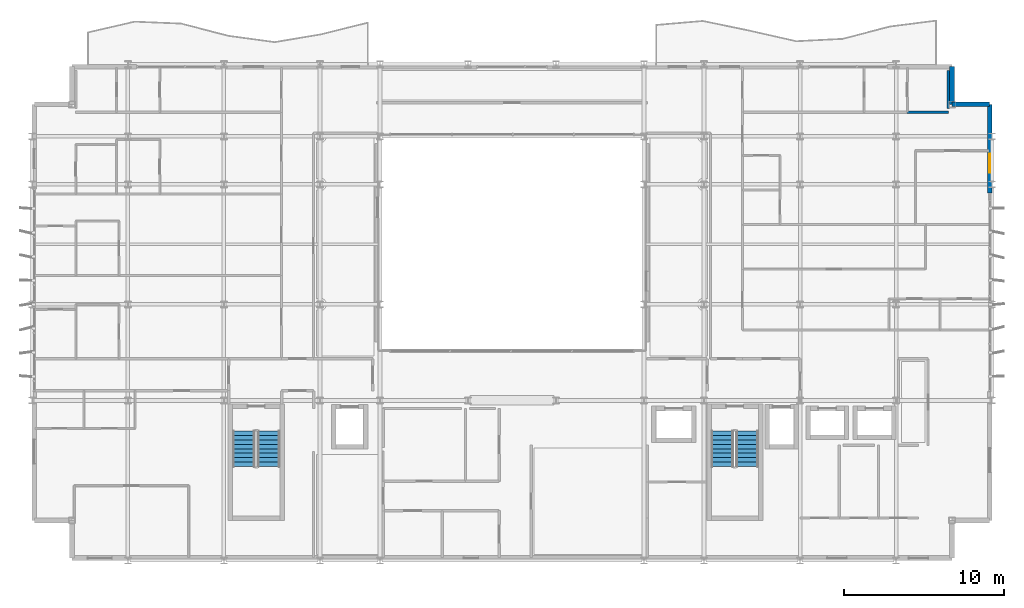
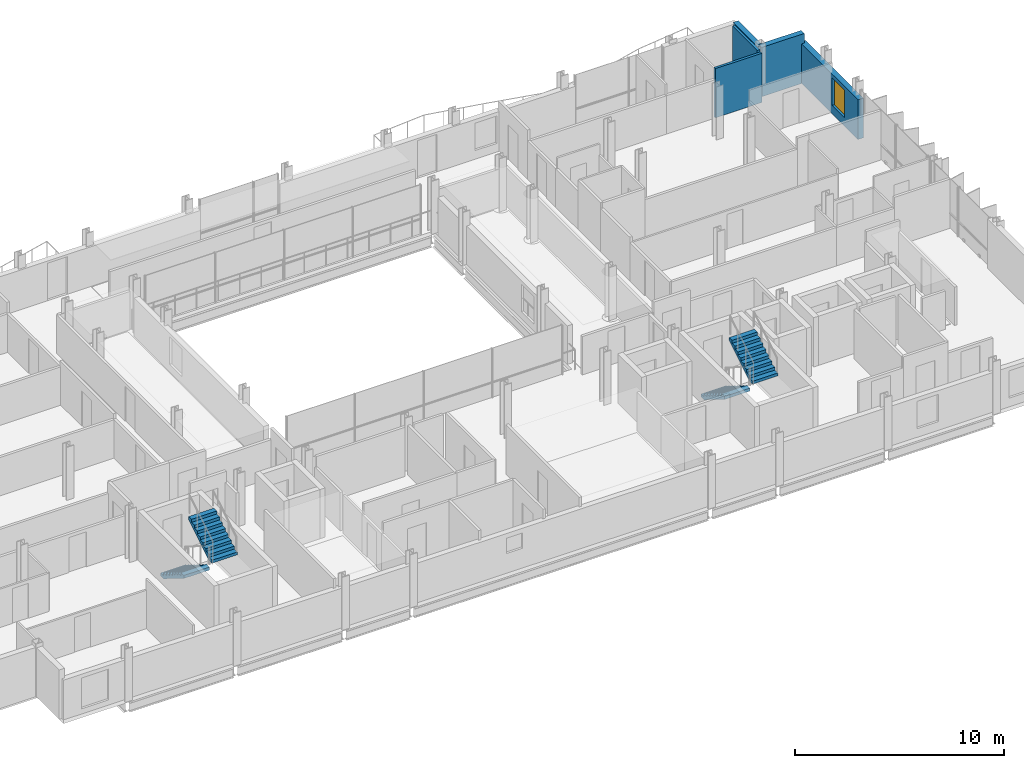
# One storey, part 34 of 40: 5 walls, 4 stair flights, 1 window, 1 opening, 2 elements without a shape of their own.
"""IFC4 building model written with IfcOpenShell, lengths in metres."""

from ifc_helpers import new_model, si_unit, direction, frame, frame_2d, origin, place, context, subcontext, project, spatial, polyline, rectangle, outline, extrude, material, layer, layer_set, type_object, element, fill, aggregate, save


model = new_model("IFC4")

# Units and contexts
model_context = context("Model", 3, precision=1e-05, world=origin(), true_north=direction((0.0, 1.0)))
body_context = subcontext(model_context, "Body", "Model", "MODEL_VIEW")
ifc_project = project(units=[si_unit("LENGTHUNIT", "METRE"), si_unit("AREAUNIT", "SQUARE_METRE"), si_unit("VOLUMEUNIT", "CUBIC_METRE"), si_unit("PLANEANGLEUNIT", "RADIAN"), si_unit("MASSUNIT", "GRAM", prefix="KILO")], contexts=[model_context])

# Site, building, storey
site_placement = place(None, origin())
site = spatial("IfcSite", under=ifc_project, at=site_placement, CompositionType="ELEMENT")
building_placement = place(site_placement, origin())
building = spatial("IfcBuilding", under=site, at=building_placement, Name="Brevholm Reach", CompositionType="ELEMENT")
storey_placement = place(building_placement, frame((0.0, 0.0, 148.0)))
storey = spatial("IfcBuildingStorey", under=building, at=storey_placement, Name="L44", CompositionType="ELEMENT", Elevation=148.0)

# Walls
ifc_material_1 = material(Name="Concrete C40/50", Category="concrete")
ifc_layer_1 = layer(ifc_material_1, 0.300048828125)
ifc_layer_set_1 = layer_set([ifc_layer_1], Name="Concrete C40/50")
wall_type_1 = type_object("IfcWallType", Name="WAL-EXT-300", PredefinedType="STANDARD", material=ifc_layer_set_1)
for number, where, z_axis, x_axis, name in (
    (1, (59.85009765625, 28.5, 0.0), (0.0, 0.0, 1.0), (-1.0, 0.0, 0.0), "L44 Facade Wall WAL-L44-CNE1"),
    (2, (57.5, 28.5, 0.0), (0.0, 0.0, 1.0), (0.0, 1.0, 0.0), "L44 Facade Wall WAL-L44-CNE2"),
):
    element("IfcWall", number, at=place(storey_placement, frame(where, z_axis=z_axis, x_axis=x_axis)), inside=storey, type_object=wall_type_1, Name=name, PredefinedType="STANDARD", context=body_context, shape_type="SweptSolid", body=[
        extrude(rectangle(XDim=2.35009765625, YDim=0.300048828125, at=frame_2d((1.175048828125, 0.0))), origin(), (0.0, 0.0, 1.0), 2.8798828125),
    ])

# Wall, opening, window
wall_1_placement = place(storey_placement, frame((59.85009765625, 22.949951171875, 0.0), z_axis=(0.0, 0.0, 1.0), x_axis=(0.0, 1.0, 0.0)))
wall_1 = element("IfcWall", 3, at=wall_1_placement, inside=storey, type_object=wall_type_1, Name="L44 Facade Wall WAL-L44-E-N", PredefinedType="STANDARD", context=body_context, shape_type="SweptSolid", body=[
    extrude(rectangle(XDim=5.550048828125, YDim=0.300048828125, at=frame_2d((2.77490234375, 0.0))), origin(), (0.0, 0.0, 1.0), 2.322021484375),
])
opening_placement = place(wall_1_placement, frame((1.27001953125, 0.0, 0.501953125)))
opening = element("IfcOpeningElement", 4, at=opening_placement, cuts=wall_1, Name="Opening WN-08", PredefinedType="OPENING", context=body_context, shape_type="SweptSolid", body=[
    extrude(rectangle(XDim=1.199951171875, YDim=1.60009765625, at=frame_2d((0.60009765625, 0.800048828125))), frame((0.0, 0.159912109375, 0.0), z_axis=(0.0, -1.0, 0.0), x_axis=(1.0, 0.0, 0.0)), (0.0, 0.0, 1.0), 0.320068359375),
])
ifc_material_2 = material(Name="Dark Anodised Aluminium and Solar-Control IGU Glass", Category="aluminium")
window_type = type_object("IfcWindowType", Name="WIN-RES-1200", PartitioningType="SINGLE_PANEL", PredefinedType="WINDOW", material=ifc_material_2)
window_placement = place(opening_placement, origin())
window = element("IfcWindow", 5, at=window_placement, inside=storey, type_object=window_type, Name="L44 Window WIN-L44-EN-1", OverallHeight=1.60009765625, OverallWidth=1.199951171875, PartitioningType="SINGLE_PANEL", PredefinedType="WINDOW", context=body_context, shape_type="SweptSolid", body=[
    extrude(rectangle(XDim=1.199951171875, YDim=1.60009765625, at=frame_2d((0.60009765625, 0.800048828125))), frame((0.0, 0.030029296875, 0.0), z_axis=(0.0, -1.0, 0.0), x_axis=(1.0, 0.0, 0.0)), (0.0, 0.0, 1.0), 0.06005859375),
])
fill(opening, window)

# Walls
ifc_material_3 = material(Name="Twin-Stud Acoustic Fire-Rated Gypsum Partition 140 mm", Category="gypsum")
ifc_layer_2 = layer(ifc_material_3, 0.139892578125)
ifc_layer_set_2 = layer_set([ifc_layer_2], Name="Twin-Stud Acoustic Fire-Rated Gypsum Partition 140 mm")
wall_type_2 = type_object("IfcWallType", Name="WAL-PRT-140", PredefinedType="PARTITIONING", material=ifc_layer_set_2)
wall_2_placement = place(storey_placement, frame((54.688720703125, 28.0, 0.0), z_axis=(0.0, 0.0, 1.0), x_axis=(1.0, 0.0, 0.0)))
element("IfcWall", 6, at=wall_2_placement, inside=storey, type_object=wall_type_2, Name="L44 Internal Partition 114", PredefinedType="PARTITIONING", context=body_context, shape_type="SweptSolid", body=[
    extrude(rectangle(XDim=2.572509765625, YDim=0.139892578125, at=frame_2d((1.2861328125, 0.0))), origin(), (0.0, 0.0, 1.0), 2.8798828125),
])
wall_3_placement = place(storey_placement, frame((57.25, 28.239990234375, 0.0), z_axis=(0.0, 0.0, 1.0), x_axis=(0.0, 1.0, 0.0)))
element("IfcWall", 7, at=wall_3_placement, inside=storey, type_object=wall_type_2, Name="L44 Internal Partition 126", PredefinedType="PARTITIONING", context=body_context, shape_type="SweptSolid", body=[
    extrude(rectangle(XDim=2.3701171875, YDim=0.139892578125, at=frame_2d((1.18505859375, 0.0))), origin(), (0.0, 0.0, 1.0), 2.8798828125),
])

# Stair, stair flights
ifc_material_4 = material(Name="Precast Concrete C40/50", Category="concrete")
stair_type = type_object("IfcStairType", Name="STR-ESC-1400", PredefinedType="DOUBLE_RETURN_STAIR", material=ifc_material_4)
stair_1_placement = place(storey_placement, origin())
stair_1 = element("IfcStair", 8, at=stair_1_placement, inside=storey, type_object=stair_type, Name="L44 ST-1", PredefinedType="DOUBLE_RETURN_STAIR")
ifc_material_5 = material(Name="Precast Concrete C40/50", Category="concrete")
ifc_layer_3 = layer(ifc_material_5, 0.18505859375)
ifc_layer_set_3 = layer_set([ifc_layer_3], Name="Precast Concrete C40/50")
stair_flight_type = type_object("IfcStairFlightType", Name="STF-PRC-185", PredefinedType="STRAIGHT", material=ifc_layer_set_3)
stair_flight_1_placement = place(storey_placement, frame((13.25, 8.10009765625, 0.0), z_axis=(0.0, 0.0, 1.0), x_axis=(0.0, -1.0, 0.0)))
stair_flight_1 = element("IfcStairFlight", 9, at=stair_flight_1_placement, type_object=stair_flight_type, Name="ST-1 flight 1", NumberOfRisers=9, NumberOfTreads=8, PredefinedType="STRAIGHT", RiserHeight=0.172222222, TreadLength=0.28, context=body_context, shape_type="SweptSolid", body=[
    extrude(outline(polyline([(0.0, 0.0), (0.0, 0.172119140625), (0.280029296875, 0.172119140625), (0.280029296875, 0.344482421875), (0.56005859375, 0.344482421875), (0.56005859375, 0.5166015625), (0.840087890625, 0.5166015625), (0.840087890625, 0.68896484375), (1.1201171875, 0.68896484375), (1.1201171875, 0.861083984375), (1.39990234375, 0.861083984375), (1.39990234375, 1.033447265625), (1.679931640625, 1.033447265625), (1.679931640625, 1.20556640625), (1.9599609375, 1.20556640625), (1.9599609375, 1.377685546875), (2.239990234375, 1.377685546875), (2.239990234375, 1.550048828125), (2.239990234375, 1.201904296875), (0.2861328125, 0.0), (0.0, 0.0)])), frame((0.0, 0.699951171875, 0.0), z_axis=(0.0, -1.0, 0.0), x_axis=(1.0, 0.0, 0.0)), (0.0, 0.0, 1.0), 1.39990234375),
])
stair_flight_2_placement = place(storey_placement, frame((14.800048828125, 5.860107421875, 1.550048828125), z_axis=(0.0, 0.0, 1.0), x_axis=(0.0, 1.0, 0.0)))
stair_flight_2 = element("IfcStairFlight", 10, at=stair_flight_2_placement, type_object=stair_flight_type, Name="ST-1 flight 2", NumberOfRisers=9, NumberOfTreads=8, PredefinedType="STRAIGHT", RiserHeight=0.172222222, TreadLength=0.28, context=body_context, shape_type="SweptSolid", body=[
    extrude(outline(polyline([(0.0, 0.0), (0.0, 0.172119140625), (0.280029296875, 0.172119140625), (0.280029296875, 0.344482421875), (0.56005859375, 0.344482421875), (0.56005859375, 0.5166015625), (0.840087890625, 0.5166015625), (0.840087890625, 0.68896484375), (1.1201171875, 0.68896484375), (1.1201171875, 0.861083984375), (1.39990234375, 0.861083984375), (1.39990234375, 1.033447265625), (1.679931640625, 1.033447265625), (1.679931640625, 1.20556640625), (1.9599609375, 1.20556640625), (1.9599609375, 1.377685546875), (2.239990234375, 1.377685546875), (2.239990234375, 1.550048828125), (2.239990234375, 1.201904296875), (0.2861328125, 0.0), (0.0, 0.0)])), frame((0.0, 0.699951171875, 0.0), z_axis=(0.0, -1.0, 0.0), x_axis=(1.0, 0.0, 0.0)), (0.0, 0.0, 1.0), 1.39990234375),
])
aggregate(stair_1, [stair_flight_1, stair_flight_2])

stair_2_placement = place(storey_placement, origin())
stair_2 = element("IfcStair", 11, at=stair_2_placement, inside=storey, type_object=stair_type, Name="L44 ST-2", PredefinedType="DOUBLE_RETURN_STAIR")
stair_flight_3_placement = place(storey_placement, frame((43.14990234375, 8.10009765625, 0.0), z_axis=(0.0, 0.0, 1.0), x_axis=(0.0, -1.0, 0.0)))
stair_flight_3 = element("IfcStairFlight", 12, at=stair_flight_3_placement, type_object=stair_flight_type, Name="ST-2 flight 1", NumberOfRisers=9, NumberOfTreads=8, PredefinedType="STRAIGHT", RiserHeight=0.172222222, TreadLength=0.28, context=body_context, shape_type="SweptSolid", body=[
    extrude(outline(polyline([(0.0, 0.0), (0.0, 0.172119140625), (0.280029296875, 0.172119140625), (0.280029296875, 0.344482421875), (0.56005859375, 0.344482421875), (0.56005859375, 0.5166015625), (0.840087890625, 0.5166015625), (0.840087890625, 0.68896484375), (1.1201171875, 0.68896484375), (1.1201171875, 0.861083984375), (1.39990234375, 0.861083984375), (1.39990234375, 1.033447265625), (1.679931640625, 1.033447265625), (1.679931640625, 1.20556640625), (1.9599609375, 1.20556640625), (1.9599609375, 1.377685546875), (2.239990234375, 1.377685546875), (2.239990234375, 1.550048828125), (2.239990234375, 1.201904296875), (0.2861328125, 0.0), (0.0, 0.0)])), frame((0.0, 0.699951171875, 0.0), z_axis=(0.0, -1.0, 0.0), x_axis=(1.0, 0.0, 0.0)), (0.0, 0.0, 1.0), 1.39990234375),
])
stair_flight_4_placement = place(storey_placement, frame((44.699951171875, 5.860107421875, 1.550048828125), z_axis=(0.0, 0.0, 1.0), x_axis=(0.0, 1.0, 0.0)))
stair_flight_4 = element("IfcStairFlight", 13, at=stair_flight_4_placement, type_object=stair_flight_type, Name="ST-2 flight 2", NumberOfRisers=9, NumberOfTreads=8, PredefinedType="STRAIGHT", RiserHeight=0.172222222, TreadLength=0.28, context=body_context, shape_type="SweptSolid", body=[
    extrude(outline(polyline([(0.0, 0.0), (0.0, 0.172119140625), (0.280029296875, 0.172119140625), (0.280029296875, 0.344482421875), (0.56005859375, 0.344482421875), (0.56005859375, 0.5166015625), (0.840087890625, 0.5166015625), (0.840087890625, 0.68896484375), (1.1201171875, 0.68896484375), (1.1201171875, 0.861083984375), (1.39990234375, 0.861083984375), (1.39990234375, 1.033447265625), (1.679931640625, 1.033447265625), (1.679931640625, 1.20556640625), (1.9599609375, 1.20556640625), (1.9599609375, 1.377685546875), (2.239990234375, 1.377685546875), (2.239990234375, 1.550048828125), (2.239990234375, 1.201904296875), (0.2861328125, 0.0), (0.0, 0.0)])), frame((0.0, 0.699951171875, 0.0), z_axis=(0.0, -1.0, 0.0), x_axis=(1.0, 0.0, 0.0)), (0.0, 0.0, 1.0), 1.39990234375),
])
aggregate(stair_2, [stair_flight_3, stair_flight_4])

save(model, "model.ifc")
